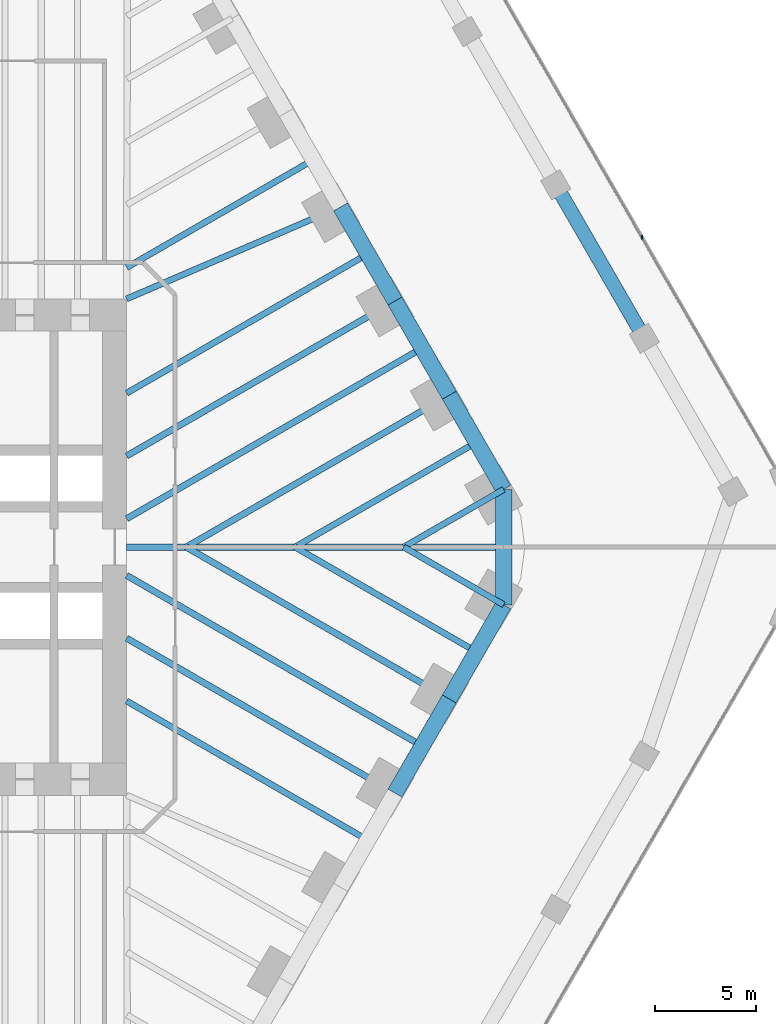
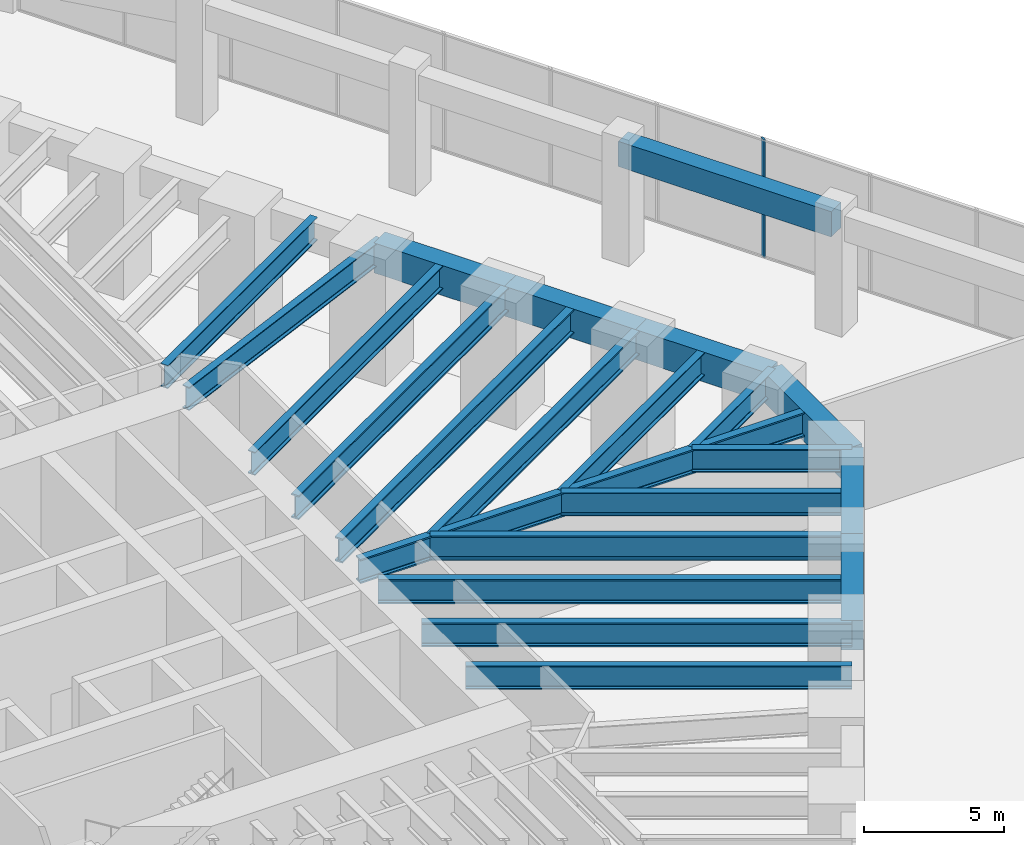
# One storey, part 13 of 31: 22 beams, 1 member, 1 element without a shape of its own.
"""IFC4 building model written with IfcOpenShell, lengths in metres."""

from ifc_helpers import new_model, si_unit, direction, frame, origin, origin_2d, place, context, subcontext, project, spatial, rectangle, i_section, extrude, material, material_profile, profile_set, type_object, element, aggregate, save


model = new_model("IFC4")

# Units and contexts
model_context = context("Model", 3, precision=1e-05, world=origin(), true_north=direction((0.0, 1.0)))
body_context = subcontext(model_context, "Body", "Model", "MODEL_VIEW")
ifc_project = project(units=[si_unit("LENGTHUNIT", "METRE"), si_unit("AREAUNIT", "SQUARE_METRE"), si_unit("VOLUMEUNIT", "CUBIC_METRE"), si_unit("PLANEANGLEUNIT", "RADIAN"), si_unit("MASSUNIT", "GRAM", prefix="KILO")], contexts=[model_context])

# Site, building, storey
site_placement = place(None, origin())
site = spatial("IfcSite", under=ifc_project, at=site_placement, CompositionType="ELEMENT")
building_placement = place(site_placement, origin())
building = spatial("IfcBuilding", under=site, at=building_placement, Name="Tarfa Lantern Tower", CompositionType="ELEMENT")
storey_placement = place(building_placement, frame((0.0, 0.0, 13.0)))
storey = spatial("IfcBuildingStorey", under=building, at=storey_placement, Name="L02", CompositionType="ELEMENT", Elevation=13.0)

# Curtain wall, member
ifc_material_1 = material(Name="Aluminium framed curtain wall", Category="aluminium")
curtain_wall_type = type_object("IfcCurtainWallType", Name="CW7 PODIUM GLAZING 5150", PredefinedType="USERDEFINED", material=ifc_material_1)
curtain_wall_placement = place(storey_placement, origin())
curtain_wall = element("IfcCurtainWall", 1, at=curtain_wall_placement, inside=storey, type_object=curtain_wall_type, Name="CW7 NE L02", ObjectType="CURTAIN WALL", PredefinedType="USERDEFINED")
ifc_material_2 = material(Name="Aluminium mullion", Category="aluminium")
ifc_material_profile_1 = material_profile(ifc_material_2, rectangle(XDim=0.06494140625, YDim=0.199951171875, at=origin_2d()), Name="AL MULLION 65x200")
ifc_profile_set_1 = profile_set([ifc_material_profile_1], Name="Aluminium mullion")
member_type = type_object("IfcMemberType", Name="CWM1 MULLION 65x200", PredefinedType="MULLION", material=ifc_profile_set_1)
member_placement = place(storey_placement, frame((44.138427734375, 15.35009765625, 0.0), z_axis=(0.0, 0.0, 1.0), x_axis=(1.0, 0.0, 0.0)))
member = element("IfcMember", 2, at=member_placement, type_object=member_type, Name="CW7 mullion 4", PredefinedType="MULLION", context=body_context, shape_type="SweptSolid", body=[
    extrude(rectangle(XDim=0.06494140625, YDim=0.199951171875, at=origin_2d()), origin(), (0.0, 0.0, 1.0), 5.14990234375),
])
aggregate(curtain_wall, [member])

# Beams
ifc_material_3 = material(Name="Concrete C80/95", Category="concrete")
ifc_material_profile_2 = material_profile(ifc_material_3, rectangle(XDim=0.800048828125, YDim=1.300048828125, at=origin_2d()), Name="RC 800x1300")
ifc_profile_set_2 = profile_set([ifc_material_profile_2], Name="Concrete C80/95")
beam_type_1 = type_object("IfcBeamType", Name="EB1 RC 800x1300", PredefinedType="SPANDREL", material=ifc_profile_set_2)
beam_1_placement = place(storey_placement, frame((37.285400390625, 2.860107421875, 4.5), z_axis=(-0.500017906299, 0.866015065331, 0.0), x_axis=(-0.866015065331, -0.500017906299, 0.0)))
element("IfcBeam", 3, at=beam_1_placement, inside=storey, type_object=beam_type_1, Name="Edge beam NE0", PredefinedType="SPANDREL", context=body_context, shape_type="SweptSolid", body=[
    extrude(rectangle(XDim=0.800048828125, YDim=1.300048828125, at=origin_2d()), origin(), (0.0, 0.0, 1.0), 5.388427734375),
])
for number, where, z_axis, x_axis, name in (
    (4, (34.591064453125, 7.526611328125, 4.5), (-0.499998287579, 0.866026392449, 0.0), (-0.866026392449, -0.499998287579, 0.0), "Edge beam NE1"),
    (5, (31.896728515625, 12.193359375, 4.5), (-0.499998287579, 0.866026392449, 0.0), (-0.866026392449, -0.499998287579, 0.0), "Edge beam NE2"),
    (6, (31.896728515625, -12.193359375, 4.5), (0.499998287579, 0.866026392449, 0.0), (-0.866026392449, 0.499998287579, 0.0), "Edge beam SE4"),
):
    element("IfcBeam", number, at=place(storey_placement, frame(where, z_axis=z_axis, x_axis=x_axis)), inside=storey, type_object=beam_type_1, Name=name, PredefinedType="SPANDREL", context=body_context, shape_type="SweptSolid", body=[
        extrude(rectangle(XDim=0.800048828125, YDim=1.300048828125, at=origin_2d()), origin(), (0.0, 0.0, 1.0), 5.388671875),
    ])
beam_2_placement = place(storey_placement, frame((34.591064453125, -7.526611328125, 4.5), z_axis=(0.500017906299, 0.866015065331, 0.0), x_axis=(-0.866015065331, 0.500017906299, 0.0)))
element("IfcBeam", 7, at=beam_2_placement, inside=storey, type_object=beam_type_1, Name="Edge beam SE5", PredefinedType="SPANDREL", context=body_context, shape_type="SweptSolid", body=[
    extrude(rectangle(XDim=0.800048828125, YDim=1.300048828125, at=origin_2d()), origin(), (0.0, 0.0, 1.0), 5.388427734375),
])
beam_3_placement = place(storey_placement, frame((37.285400390625, -2.860107421875, 4.5), z_axis=(0.0, 1.0, 0.0), x_axis=(-1.0, 0.0, 0.0)))
element("IfcBeam", 8, at=beam_3_placement, inside=storey, type_object=beam_type_1, Name="Edge beam SE6", PredefinedType="SPANDREL", context=body_context, shape_type="SweptSolid", body=[
    extrude(rectangle(XDim=0.800048828125, YDim=1.300048828125, at=origin_2d()), origin(), (0.0, 0.0, 1.0), 5.72021484375),
])
ifc_material_profile_3 = material_profile(ifc_material_3, rectangle(XDim=0.699951171875, YDim=1.10009765625, at=origin_2d()), Name="RC 700x1100")
ifc_profile_set_3 = profile_set([ifc_material_profile_3], Name="Concrete C80/95")
beam_type_2 = type_object("IfcBeamType", Name="PB1 RC 700x1100", PredefinedType="BEAM", material=ifc_profile_set_3)
beam_4_placement = place(storey_placement, frame((44.25390625, 10.35009765625, 4.60009765625), z_axis=(-0.500013843384, 0.866017411155, 0.0), x_axis=(-0.866017411155, -0.500013843384, 0.0)))
element("IfcBeam", 9, at=beam_4_placement, inside=storey, type_object=beam_type_2, Name="Podium ring beam NE1", PredefinedType="BEAM", context=body_context, shape_type="SweptSolid", body=[
    extrude(rectangle(XDim=0.699951171875, YDim=1.10009765625, at=origin_2d()), origin(), (0.0, 0.0, 1.0), 8.775634765625),
])
ifc_material_4 = material(Name="Steel S460M", Category="steel")
ifc_material_profile_4 = material_profile(ifc_material_4, i_section(OverallWidth=0.302001953125, OverallDepth=1.008056640625, WebThickness=0.02099609375, FlangeThickness=0.0400390625, FilletRadius=0.030029296875, at=origin_2d()), Name="UB1016x305x349")
ifc_profile_set_4 = profile_set([ifc_material_profile_4], Name="Steel S460M")
beam_type_3 = type_object("IfcBeamType", Name="UB1016x305x349", PredefinedType="BEAM", material=ifc_profile_set_4)
beam_5_placement = place(storey_placement, frame((37.285400390625, 2.860107421875, 4.64599609375), z_axis=(-0.866025668288, -0.499999541866, 0.0), x_axis=(0.499999541866, -0.866025668288, 0.0)))
element("IfcBeam", 10, at=beam_5_placement, inside=storey, type_object=beam_type_3, Name="Floor beam NE0", PredefinedType="BEAM", context=body_context, shape_type="SweptSolid", body=[
    extrude(i_section(OverallWidth=0.302001953125, OverallDepth=1.008056640625, WebThickness=0.02099609375, FlangeThickness=0.0400390625, FilletRadius=0.030029296875, at=origin_2d()), origin(), (0.0, 0.0, 1.0), 5.72021484375),
])
beam_6_placement = place(storey_placement, frame((29.202392578125, 16.860107421875, 4.64599609375), z_axis=(-0.918635483867, -0.395106122175, 0.0), x_axis=(0.395106122175, -0.918635483867, 0.0)))
element("IfcBeam", 11, at=beam_6_placement, inside=storey, type_object=beam_type_3, Name="Floor beam NE3", PredefinedType="BEAM", context=body_context, shape_type="SweptSolid", body=[
    extrude(i_section(OverallWidth=0.302001953125, OverallDepth=1.008056640625, WebThickness=0.02099609375, FlangeThickness=0.0400390625, FilletRadius=0.030029296875, at=origin_2d()), origin(), (0.0, 0.0, 1.0), 11.541259765625),
])
beam_7_placement = place(storey_placement, frame((37.285400390625, -2.860107421875, 4.64599609375), z_axis=(-0.866025668288, 0.499999541866, 0.0), x_axis=(-0.499999541866, -0.866025668288, 0.0)))
element("IfcBeam", 12, at=beam_7_placement, inside=storey, type_object=beam_type_3, Name="Floor beam SE6", PredefinedType="BEAM", context=body_context, shape_type="SweptSolid", body=[
    extrude(i_section(OverallWidth=0.302001953125, OverallDepth=1.008056640625, WebThickness=0.02099609375, FlangeThickness=0.0400390625, FilletRadius=0.030029296875, at=origin_2d()), origin(), (0.0, 0.0, 1.0), 5.72021484375),
])
beam_8_placement = place(storey_placement, frame((35.938232421875, 5.193359375, 4.64599609375), z_axis=(-0.866024317969, -0.500001880682, 0.0), x_axis=(0.500001880682, -0.866024317969, 0.0)))
element("IfcBeam", 13, at=beam_8_placement, inside=storey, type_object=beam_type_3, Name="Floor beam NE0M", PredefinedType="BEAM", context=body_context, shape_type="SweptSolid", body=[
    extrude(i_section(OverallWidth=0.302001953125, OverallDepth=1.008056640625, WebThickness=0.02099609375, FlangeThickness=0.0400390625, FilletRadius=0.030029296875, at=origin_2d()), origin(), (0.0, 0.0, 1.0), 10.38671875),
])
beam_9_placement = place(storey_placement, frame((30.549560546875, 14.526611328125, 4.64599609375), z_axis=(-0.866028536827, -0.499994573371, 0.0), x_axis=(0.499994573371, -0.866028536827, 0.0)))
element("IfcBeam", 14, at=beam_9_placement, inside=storey, type_object=beam_type_3, Name="Floor beam NE2M", PredefinedType="BEAM", context=body_context, shape_type="SweptSolid", body=[
    extrude(i_section(OverallWidth=0.302001953125, OverallDepth=1.008056640625, WebThickness=0.02099609375, FlangeThickness=0.0400390625, FilletRadius=0.030029296875, at=origin_2d()), origin(), (0.0, 0.0, 1.0), 13.798095703125),
])
beam_10_placement = place(storey_placement, frame((27.855224609375, 19.193359375, 4.64599609375), z_axis=(-0.866028034017, -0.499995444275, 0.0), x_axis=(0.499995444275, -0.866028034017, 0.0)))
element("IfcBeam", 15, at=beam_10_placement, inside=storey, type_object=beam_type_3, Name="Floor beam NE3M", PredefinedType="BEAM", context=body_context, shape_type="SweptSolid", body=[
    extrude(i_section(OverallWidth=0.302001953125, OverallDepth=1.008056640625, WebThickness=0.02099609375, FlangeThickness=0.0400390625, FilletRadius=0.030029296875, at=origin_2d()), origin(), (0.0, 0.0, 1.0), 10.68310546875),
])
beam_11_placement = place(storey_placement, frame((30.549560546875, -14.526611328125, 4.64599609375), z_axis=(-0.866028536827, 0.499994573371, 0.0), x_axis=(-0.499994573371, -0.866028536827, 0.0)))
element("IfcBeam", 16, at=beam_11_placement, inside=storey, type_object=beam_type_3, Name="Floor beam SE3M", PredefinedType="BEAM", context=body_context, shape_type="SweptSolid", body=[
    extrude(i_section(OverallWidth=0.302001953125, OverallDepth=1.008056640625, WebThickness=0.02099609375, FlangeThickness=0.0400390625, FilletRadius=0.030029296875, at=origin_2d()), origin(), (0.0, 0.0, 1.0), 13.798095703125),
])
beam_12_placement = place(storey_placement, frame((35.938232421875, -5.193359375, 4.64599609375), z_axis=(-0.866024317969, 0.500001880682, 0.0), x_axis=(-0.500001880682, -0.866024317969, 0.0)))
element("IfcBeam", 17, at=beam_12_placement, inside=storey, type_object=beam_type_3, Name="Floor beam SE5M", PredefinedType="BEAM", context=body_context, shape_type="SweptSolid", body=[
    extrude(i_section(OverallWidth=0.302001953125, OverallDepth=1.008056640625, WebThickness=0.02099609375, FlangeThickness=0.0400390625, FilletRadius=0.030029296875, at=origin_2d()), origin(), (0.0, 0.0, 1.0), 10.38671875),
])
ifc_material_profile_5 = material_profile(ifc_material_4, i_section(OverallWidth=0.314208984375, OverallDepth=1.055908203125, WebThickness=0.035888671875, FlangeThickness=0.06396484375, FilletRadius=0.030029296875, at=origin_2d()), Name="UB1016x305x584")
ifc_profile_set_5 = profile_set([ifc_material_profile_5], Name="Steel S460M")
beam_type_4 = type_object("IfcBeamType", Name="UB1016x305x584", PredefinedType="BEAM", material=ifc_profile_set_5)
beam_13_placement = place(storey_placement, frame((18.60009765625, 0.0, 4.6220703125), z_axis=(1.0, 0.0, 0.0), x_axis=(0.0, 1.0, 0.0)))
element("IfcBeam", 18, at=beam_13_placement, inside=storey, type_object=beam_type_4, Name="Hip girder E", PredefinedType="BEAM", context=body_context, shape_type="SweptSolid", body=[
    extrude(i_section(OverallWidth=0.314208984375, OverallDepth=1.055908203125, WebThickness=0.035888671875, FlangeThickness=0.06396484375, FilletRadius=0.030029296875, at=origin_2d()), origin(), (0.0, 0.0, 1.0), 18.685302734375),
])
beam_14_placement = place(storey_placement, frame((34.591064453125, 7.526611328125, 4.6220703125), z_axis=(-0.86602785945, -0.499995746638, 0.0), x_axis=(0.499995746638, -0.86602785945, 0.0)))
element("IfcBeam", 19, at=beam_14_placement, inside=storey, type_object=beam_type_4, Name="Floor beam NE1", PredefinedType="BEAM", context=body_context, shape_type="SweptSolid", body=[
    extrude(i_section(OverallWidth=0.314208984375, OverallDepth=1.055908203125, WebThickness=0.035888671875, FlangeThickness=0.06396484375, FilletRadius=0.030029296875, at=origin_2d()), origin(), (0.0, 0.0, 1.0), 15.053466796875),
])
for number, where, z_axis, x_axis, name in (
    (20, (31.896728515625, 12.193359375, 4.6220703125), (-0.866026971665, -0.499997284341, 0.0), (0.499997284341, -0.866026971665, 0.0), "Floor beam NE2"),
    (21, (31.896728515625, -12.193359375, 4.6220703125), (-0.866026971665, 0.499997284341, 0.0), (-0.499997284341, -0.866026971665, 0.0), "Floor beam SE4"),
):
    element("IfcBeam", number, at=place(storey_placement, frame(where, z_axis=z_axis, x_axis=x_axis)), inside=storey, type_object=beam_type_4, Name=name, PredefinedType="BEAM", context=body_context, shape_type="SweptSolid", body=[
        extrude(i_section(OverallWidth=0.314208984375, OverallDepth=1.055908203125, WebThickness=0.035888671875, FlangeThickness=0.06396484375, FilletRadius=0.030029296875, at=origin_2d()), origin(), (0.0, 0.0, 1.0), 15.353515625),
    ])
beam_15_placement = place(storey_placement, frame((34.591064453125, -7.526611328125, 4.6220703125), z_axis=(-0.86602785945, 0.499995746638, 0.0), x_axis=(-0.499995746638, -0.86602785945, 0.0)))
element("IfcBeam", 22, at=beam_15_placement, inside=storey, type_object=beam_type_4, Name="Floor beam SE5", PredefinedType="BEAM", context=body_context, shape_type="SweptSolid", body=[
    extrude(i_section(OverallWidth=0.314208984375, OverallDepth=1.055908203125, WebThickness=0.035888671875, FlangeThickness=0.06396484375, FilletRadius=0.030029296875, at=origin_2d()), origin(), (0.0, 0.0, 1.0), 15.053466796875),
])
for number, where, z_axis, x_axis, name in (
    (23, (33.243896484375, 9.860107421875, 4.6220703125), (-0.866019442478, -0.500010325144, 0.0), (0.500010325144, -0.866019442478, 0.0), "Floor beam NE1M"),
    (24, (33.243896484375, -9.860107421875, 4.6220703125), (-0.866019442478, 0.500010325144, 0.0), (-0.500010325144, -0.866019442478, 0.0), "Floor beam SE4M"),
):
    element("IfcBeam", number, at=place(storey_placement, frame(where, z_axis=z_axis, x_axis=x_axis)), inside=storey, type_object=beam_type_4, Name=name, PredefinedType="BEAM", context=body_context, shape_type="SweptSolid", body=[
        extrude(i_section(OverallWidth=0.314208984375, OverallDepth=1.055908203125, WebThickness=0.035888671875, FlangeThickness=0.06396484375, FilletRadius=0.030029296875, at=origin_2d()), origin(), (0.0, 0.0, 1.0), 16.909423828125),
    ])

save(model, "model.ifc")
